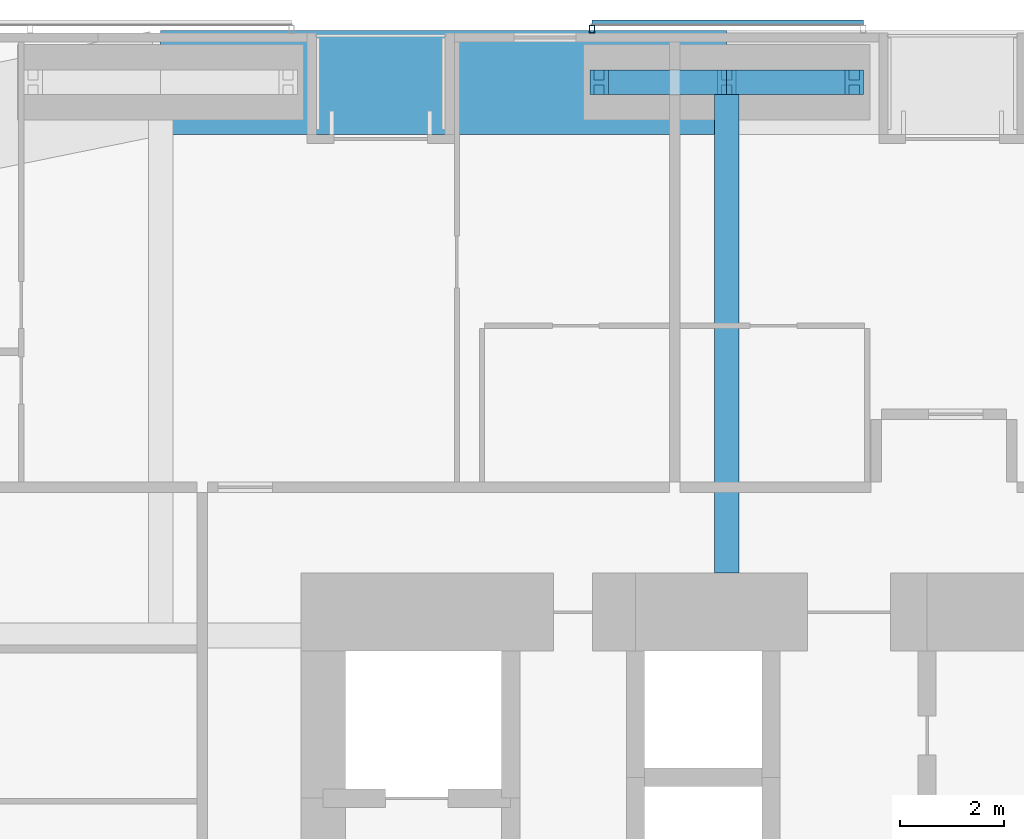
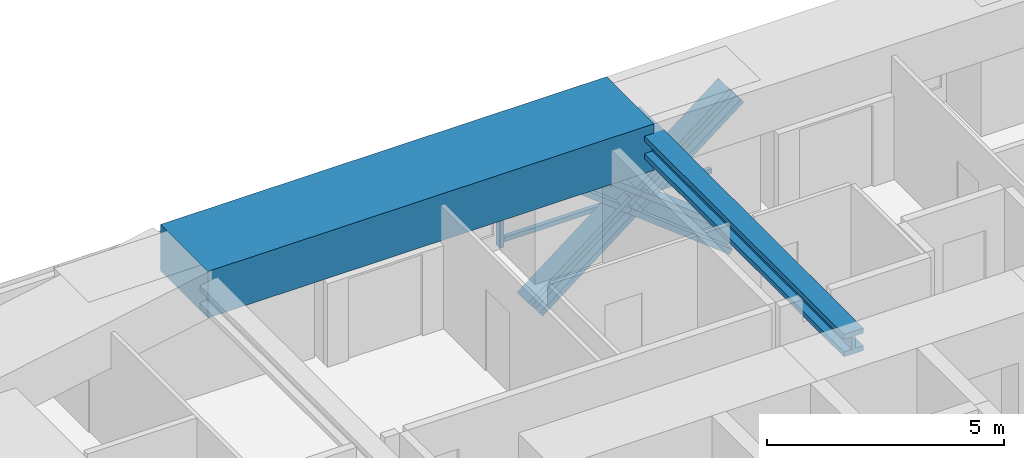
# One storey, part 12 of 23: 6 members, 2 beams, 1 element without a shape of its own.
"""IFC4 building model written with IfcOpenShell, lengths in metres."""

from ifc_helpers import new_model, si_unit, direction, frame, origin, origin_2d, place, context, subcontext, project, spatial, rectangle, hollow_rectangle, i_section, extrude, material, material_profile, profile_set, type_object, element, aggregate, save


model = new_model("IFC4")

# Units and contexts
model_context = context("Model", 3, precision=1e-05, world=origin(), true_north=direction((0.0, 1.0)))
body_context = subcontext(model_context, "Body", "Model", "MODEL_VIEW")
ifc_project = project(units=[si_unit("LENGTHUNIT", "METRE"), si_unit("AREAUNIT", "SQUARE_METRE"), si_unit("VOLUMEUNIT", "CUBIC_METRE"), si_unit("PLANEANGLEUNIT", "RADIAN"), si_unit("MASSUNIT", "GRAM", prefix="KILO")], contexts=[model_context])

# Site, building, storey
site_placement = place(None, origin())
site = spatial("IfcSite", under=ifc_project, at=site_placement, CompositionType="ELEMENT")
building_placement = place(site_placement, origin())
building = spatial("IfcBuilding", under=site, at=building_placement, Name="Jalousie Tower", CompositionType="ELEMENT")
storey_placement = place(building_placement, frame((0.0, 0.0, 84.75)))
storey = spatial("IfcBuildingStorey", under=building, at=storey_placement, Name="L22", CompositionType="ELEMENT", Elevation=84.75)

# Beam
ifc_material_1 = material(Name="Steel ASTM A992 Grade 50", Category="steel")
ifc_material_profile_1 = material_profile(ifc_material_1, i_section(OverallWidth=0.472412109375, OverallDepth=0.5791015625, WebThickness=0.094970703125, FlangeThickness=0.1298828125, at=origin_2d()), Name="W14X808")
ifc_profile_set_1 = profile_set([ifc_material_profile_1], Name="Steel ASTM A992 Grade 50")
beam_type_1 = type_object("IfcBeamType", Name="LEAN COLLECTOR W14X808", PredefinedType="BEAM", material=ifc_profile_set_1)
beam_1_placement = place(storey_placement, frame((27.75, 37.050048828125, 2.8203125), z_axis=(0.0, -1.0, 0.0), x_axis=(1.0, 0.0, 0.0)))
element("IfcBeam", 1, at=beam_1_placement, inside=storey, type_object=beam_type_1, Name="Lean collector under L23", PredefinedType="BEAM", context=body_context, shape_type="SweptSolid", body=[
    extrude(i_section(OverallWidth=0.472412109375, OverallDepth=0.5791015625, WebThickness=0.094970703125, FlangeThickness=0.1298828125, at=origin_2d()), origin(), (0.0, 0.0, 1.0), 9.425048828125),
])

# Members
ifc_material_2 = material(Name="Steel ASTM A992 Grade 50", Category="steel")
ifc_material_profile_2 = material_profile(ifc_material_2, i_section(OverallWidth=0.472412109375, OverallDepth=0.5791015625, WebThickness=0.094970703125, FlangeThickness=0.1298828125, at=origin_2d()), Name="W14X808")
ifc_profile_set_2 = profile_set([ifc_material_profile_2], Name="Steel ASTM A992 Grade 50")
member_type_1 = type_object("IfcMemberType", Name="PERIMETER BRACE W14X808", PredefinedType="BRACE", material=ifc_profile_set_2)
for number, where, z_axis, x_axis, name in (
    (2, (25.300048828125, 37.050048828125, -1.050048828125), (0.790191006211, 0.0, 0.612860647866), (0.0, 1.0, 0.0), "Perimeter brace 10 L22 part 1"),
    (3, (27.75, 37.050048828125, 0.85009765625), (0.790229140184, 0.0, 0.612811476723), (0.0, 1.0, 0.0), "Perimeter brace 10 L22 part 2"),
    (4, (30.199951171875, 37.050048828125, -1.050048828125), (-0.790191006211, 0.0, 0.612860647866), (0.0, -1.0, 0.0), "Perimeter brace 10 L22 part 3"),
    (5, (27.75, 37.050048828125, 0.85009765625), (-0.790229140184, 0.0, 0.612811476723), (0.0, -1.0, 0.0), "Perimeter brace 10 L22 part 4"),
):
    element("IfcMember", number, at=place(storey_placement, frame(where, z_axis=z_axis, x_axis=x_axis)), inside=storey, type_object=member_type_1, Name=name, PredefinedType="BRACE", context=body_context, shape_type="SweptSolid", body=[
        extrude(i_section(OverallWidth=0.472412109375, OverallDepth=0.5791015625, WebThickness=0.094970703125, FlangeThickness=0.1298828125, at=origin_2d()), origin(), (0.0, 0.0, 1.0), 3.100341796875),
    ])

# Beam
ifc_material_3 = material(Name="Concrete f'c 40 MPa", Category="concrete")
ifc_material_profile_3 = material_profile(ifc_material_3, rectangle(XDim=2.0, YDim=1.199951171875, at=origin_2d()), Name="RC 2000x1200")
ifc_profile_set_3 = profile_set([ifc_material_profile_3], Name="Concrete f'c 40 MPa")
beam_type_2 = type_object("IfcBeamType", Name="RC BEAM 2000x1200", PredefinedType="BEAM", material=ifc_profile_set_3)
beam_2_placement = place(storey_placement, frame((27.75, 37.050048828125, 2.75), z_axis=(-1.0, 0.0, 0.0), x_axis=(0.0, -1.0, 0.0)))
element("IfcBeam", 6, at=beam_2_placement, inside=storey, type_object=beam_type_2, Name="Edge band beam 10-11 under L23", PredefinedType="BEAM", context=body_context, shape_type="SweptSolid", body=[
    extrude(rectangle(XDim=2.0, YDim=1.199951171875, at=origin_2d()), origin(), (0.0, 0.0, 1.0), 10.875),
])

# Curtain wall, members
ifc_material_4 = material(Name="Perforated aluminium sheet", Category="aluminium")
curtain_wall_type = type_object("IfcCurtainWallType", Name="SOLAR SCREEN SS-1", PredefinedType="USERDEFINED", material=ifc_material_4)
curtain_wall_placement = place(storey_placement, origin())
curtain_wall = element("IfcCurtainWall", 7, at=curtain_wall_placement, inside=storey, type_object=curtain_wall_type, Name="Solar screen L22", ObjectType="SOLAR SCREEN SS-1", PredefinedType="USERDEFINED")
ifc_material_5 = material(Name="Steel ASTM A500 Grade C", Category="steel")
ifc_material_profile_4 = material_profile(ifc_material_5, hollow_rectangle(XDim=0.1015625, YDim=0.15234375, WallThickness=0.00634765625, at=origin_2d()), Name="HSS6X4X1/4")
ifc_profile_set_4 = profile_set([ifc_material_profile_4], Name="Steel ASTM A500 Grade C")
member_type_2 = type_object("IfcMemberType", Name="SOLAR SCREEN SS-1 MULLION", PredefinedType="MULLION", material=ifc_profile_set_4)
member_1_placement = place(storey_placement, frame((25.160400390625, 38.0712890625, -0.1201171875), z_axis=(0.0, 0.0, 1.0), x_axis=(-1.0, 0.0, 0.0)))
member_1 = element("IfcMember", 8, at=member_1_placement, type_object=member_type_2, Name="SS1 post 2", PredefinedType="MULLION", context=body_context, shape_type="SweptSolid", body=[
    extrude(hollow_rectangle(XDim=0.1015625, YDim=0.15234375, WallThickness=0.00634765625, at=origin_2d()), origin(), (0.0, 0.0, 1.0), 3.230224609375),
])
ifc_material_6 = material(Name="Extruded aluminium screen rail", Category="aluminium")
ifc_material_profile_5 = material_profile(ifc_material_6, rectangle(XDim=0.1015625, YDim=0.1201171875, at=origin_2d()), Name="RAIL 102x120")
ifc_profile_set_5 = profile_set([ifc_material_profile_5], Name="Extruded aluminium screen rail")
member_type_3 = type_object("IfcMemberType", Name="SOLAR SCREEN SS-1 TRANSOM", PredefinedType="USERDEFINED", material=ifc_profile_set_5)
member_2_placement = place(storey_placement, frame((30.375, 38.1982421875, -0.06005859375), z_axis=(-1.0, 0.0, 0.0), x_axis=(0.0, -1.0, 0.0)))
member_2 = element("IfcMember", 9, at=member_2_placement, type_object=member_type_3, Name="SS1 rail", ObjectType="TRANSOM", PredefinedType="USERDEFINED", context=body_context, shape_type="SweptSolid", body=[
    extrude(rectangle(XDim=0.1015625, YDim=0.1201171875, at=origin_2d()), origin(), (0.0, 0.0, 1.0), 5.214599609375),
])
aggregate(curtain_wall, [member_1, member_2])

save(model, "model.ifc")
